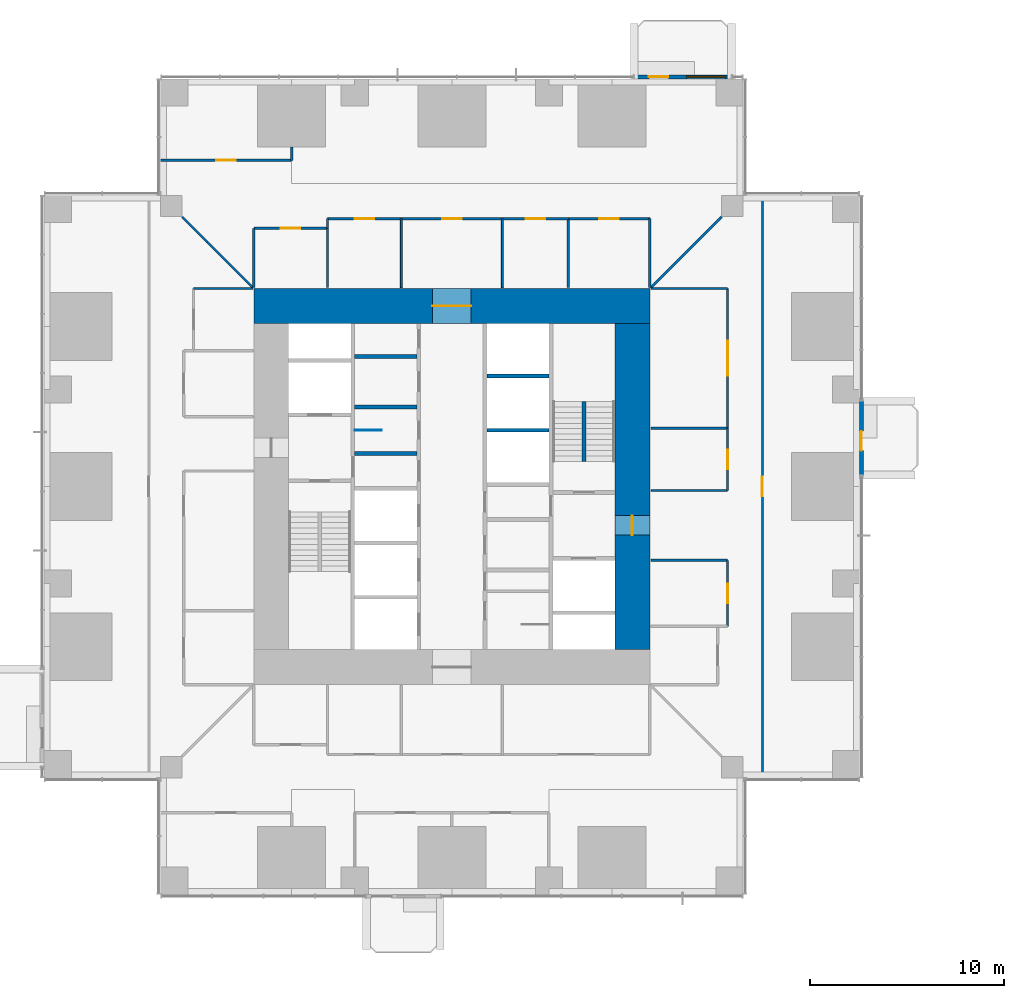
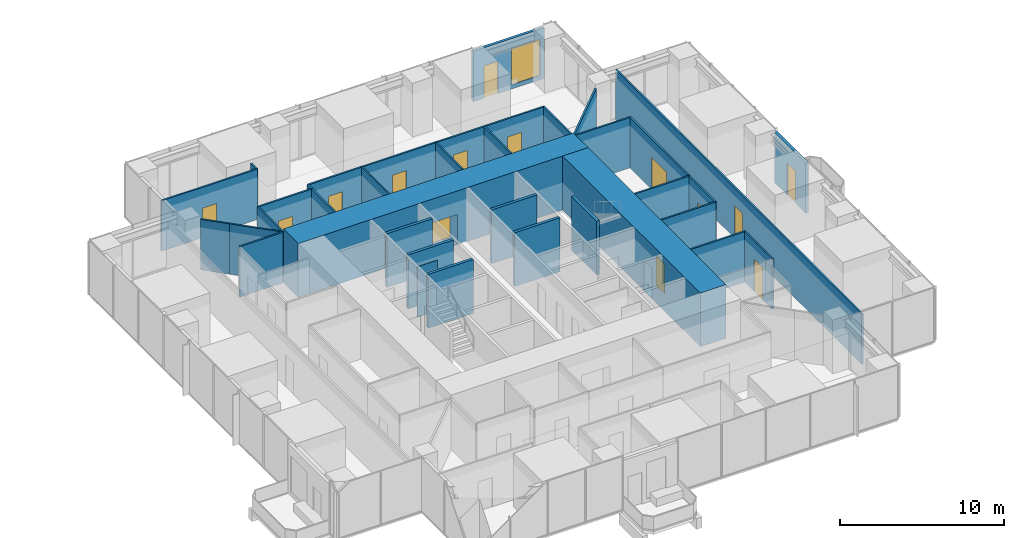
# One storey, part 12 of 16: 37 walls, 14 doors, 1 window, 15 openings.
"""IFC4 building model written with IfcOpenShell, lengths in metres."""

from ifc_helpers import new_model, si_unit, direction, frame, frame_2d, origin, place, context, subcontext, project, spatial, rectangle, extrude, material, layer, layer_set, type_object, element, fill, save


model = new_model("IFC4")

# Units and contexts
model_context = context("Model", 3, precision=1e-05, world=origin(), true_north=direction((0.0, 1.0)))
body_context = subcontext(model_context, "Body", "Model", "MODEL_VIEW")
ifc_project = project(units=[si_unit("LENGTHUNIT", "METRE"), si_unit("AREAUNIT", "SQUARE_METRE"), si_unit("VOLUMEUNIT", "CUBIC_METRE"), si_unit("PLANEANGLEUNIT", "RADIAN"), si_unit("MASSUNIT", "GRAM", prefix="KILO")], contexts=[model_context])

# Site, building, storey
site_placement = place(None, origin())
site = spatial("IfcSite", under=ifc_project, at=site_placement, CompositionType="ELEMENT")
building_placement = place(site_placement, origin())
building = spatial("IfcBuilding", under=site, at=building_placement, Name="Svetlomir Tower", CompositionType="ELEMENT")
storey_placement = place(building_placement, frame((0.0, 0.0, 22.5)))
storey = spatial("IfcBuildingStorey", under=building, at=storey_placement, Name="L04", CompositionType="ELEMENT", Elevation=22.5)

# Wall, opening, door
ifc_material_1 = material(Name="Bronze anodised aluminium glazed screen", Category="aluminium")
ifc_layer_1 = layer(ifc_material_1, 0.199951171875)
ifc_layer_set_1 = layer_set([ifc_layer_1], Name="Bronze anodised aluminium glazed screen")
wall_type_1 = type_object("IfcWallType", Name="BALCONY SCREEN WALL 200", PredefinedType="USERDEFINED", material=ifc_layer_set_1)
wall_1_placement = place(storey_placement, frame((42.10009765625, 21.60009765625, 0.0), z_axis=(0.0, 0.0, 1.0), x_axis=(0.0, 1.0, 0.0)))
wall_1 = element("IfcWall", 1, at=wall_1_placement, inside=storey, type_object=wall_type_1, Name="Balcony screen E", ObjectType="GLAZED SCREEN", PredefinedType="USERDEFINED", context=body_context, shape_type="SweptSolid", body=[
    extrude(rectangle(XDim=3.7998046875, YDim=0.199951171875, at=frame_2d((1.89990234375, 0.0))), origin(), (0.0, 0.0, 1.0), 3.75),
])
opening_1_placement = place(wall_1_placement, frame((1.25, 0.0, 0.0)))
opening_1 = element("IfcOpeningElement", 2, at=opening_1_placement, cuts=wall_1, Name="Opening BD", PredefinedType="OPENING", context=body_context, shape_type="SweptSolid", body=[
    extrude(rectangle(XDim=1.0, YDim=2.39990234375, at=frame_2d((0.5, 1.199951171875))), frame((0.0, 0.10986328125, 0.0), z_axis=(0.0, -1.0, 0.0), x_axis=(1.0, 0.0, 0.0)), (0.0, 0.0, 1.0), 0.219970703125),
])
ifc_material_2 = material(Name="Bronze anodised aluminium glazed door", Category="aluminium")
door_type_1 = type_object("IfcDoorType", Name="BALCONY DOOR BD 1000x2400", OperationType="SINGLE_SWING_LEFT", PredefinedType="DOOR", material=ifc_material_2)
door_1_placement = place(opening_1_placement, origin())
door_1 = element("IfcDoor", 3, at=door_1_placement, inside=storey, type_object=door_type_1, Name="Balcony screen E door", OperationType="SINGLE_SWING_LEFT", OverallHeight=2.39990234375, OverallWidth=1.0, PredefinedType="DOOR", context=body_context, shape_type="SweptSolid", body=[
    extrude(rectangle(XDim=1.0, YDim=2.39990234375, at=frame_2d((0.5, 1.199951171875))), frame((0.0, 0.02490234375, 0.0), z_axis=(0.0, -1.0, 0.0), x_axis=(1.0, 0.0, 0.0)), (0.0, 0.0, 1.0), 0.050048828125),
])
fill(opening_1, door_1)

# Wall, openings, door, window
wall_2_placement = place(storey_placement, frame((35.39990234375, 42.10009765625, 0.0), z_axis=(0.0, 0.0, 1.0), x_axis=(-1.0, 0.0, 0.0)))
wall_2 = element("IfcWall", 4, at=wall_2_placement, inside=storey, type_object=wall_type_1, Name="Balcony screen N", ObjectType="GLAZED SCREEN", PredefinedType="USERDEFINED", context=body_context, shape_type="SweptSolid", body=[
    extrude(rectangle(XDim=5.0, YDim=0.199951171875, at=frame_2d((2.5, 0.0))), origin(), (0.0, 0.0, 1.0), 3.75),
])
opening_2_placement = place(wall_2_placement, frame((3.25, 0.0, 0.0)))
opening_2 = element("IfcOpeningElement", 5, at=opening_2_placement, cuts=wall_2, Name="Opening BD", PredefinedType="OPENING", context=body_context, shape_type="SweptSolid", body=[
    extrude(rectangle(XDim=1.0, YDim=2.39990234375, at=frame_2d((0.5, 1.199951171875))), frame((0.0, 0.10986328125, 0.0), z_axis=(0.0, -1.0, 0.0), x_axis=(1.0, 0.0, 0.0)), (0.0, 0.0, 1.0), 0.219970703125),
])
opening_3_placement = place(wall_2_placement, frame((0.300048828125, 0.0, 0.300048828125)))
opening_3 = element("IfcOpeningElement", 6, at=opening_3_placement, cuts=wall_2, Name="Opening WS", PredefinedType="OPENING", context=body_context, shape_type="SweptSolid", body=[
    extrude(rectangle(XDim=2.0, YDim=2.699951171875, at=frame_2d((1.0, 1.35009765625))), frame((0.0, 0.10986328125, 0.0), z_axis=(0.0, -1.0, 0.0), x_axis=(1.0, 0.0, 0.0)), (0.0, 0.0, 1.0), 0.219970703125),
])
door_2_placement = place(opening_2_placement, origin())
door_2 = element("IfcDoor", 7, at=door_2_placement, inside=storey, type_object=door_type_1, Name="Balcony screen N door", OperationType="SINGLE_SWING_LEFT", OverallHeight=2.39990234375, OverallWidth=1.0, PredefinedType="DOOR", context=body_context, shape_type="SweptSolid", body=[
    extrude(rectangle(XDim=1.0, YDim=2.39990234375, at=frame_2d((0.5, 1.199951171875))), frame((0.0, 0.02490234375, 0.0), z_axis=(0.0, -1.0, 0.0), x_axis=(1.0, 0.0, 0.0)), (0.0, 0.0, 1.0), 0.050048828125),
])
fill(opening_2, door_2)
ifc_material_3 = material(Name="Bronze anodised aluminium window", Category="aluminium")
window_type = type_object("IfcWindowType", Name="SCREEN WINDOW WS 2000x2700", PartitioningType="SINGLE_PANEL", PredefinedType="WINDOW", material=ifc_material_3)
window_placement = place(opening_3_placement, origin())
window = element("IfcWindow", 8, at=window_placement, inside=storey, type_object=window_type, Name="Balcony screen N window 1", OverallHeight=2.699951171875, OverallWidth=2.0, PartitioningType="SINGLE_PANEL", PredefinedType="WINDOW", context=body_context, shape_type="SweptSolid", body=[
    extrude(rectangle(XDim=2.0, YDim=2.699951171875, at=frame_2d((1.0, 1.35009765625))), frame((0.0, 0.030029296875, 0.0), z_axis=(0.0, -1.0, 0.0), x_axis=(1.0, 0.0, 0.0)), (0.0, 0.0, 1.0), 0.06005859375),
])
fill(opening_3, window)

# Walls
ifc_material_4 = material(Name="Concrete C60/75", Category="concrete")
ifc_layer_2 = layer(ifc_material_4, 0.199951171875)
ifc_layer_set_2 = layer_set([ifc_layer_2], Name="Concrete C60/75")
wall_type_2 = type_object("IfcWallType", Name="CORE INNER WALL 200", PredefinedType="SHEAR", material=ifc_layer_set_2)
for number, where, z_axis, x_axis, name in (
    (9, (16.0, 22.699951171875, -0.050048828125), (0.0, 0.0, 1.0), (1.0, 0.0, 0.0), "Core inner wall 16-19.2/22.7 L04"),
    (10, (16.0, 25.10009765625, -0.050048828125), (0.0, 0.0, 1.0), (1.0, 0.0, 0.0), "Core inner wall 16-19.2/25.1 L04"),
    (11, (16.0, 27.699951171875, -0.050048828125), (0.0, 0.0, 1.0), (1.0, 0.0, 0.0), "Core inner wall 16-19.2/27.7 L04"),
    (12, (22.800048828125, 23.89990234375, -0.050048828125), (0.0, 0.0, 1.0), (1.0, 0.0, 0.0), "Core inner wall 22.8-26/23.9 L04"),
    (13, (22.800048828125, 26.699951171875, -0.050048828125), (0.0, 0.0, 1.0), (1.0, 0.0, 0.0), "Core inner wall 22.8-26/26.7 L04"),
):
    element("IfcWall", number, at=place(storey_placement, frame(where, z_axis=z_axis, x_axis=x_axis)), inside=storey, type_object=wall_type_2, Name=name, PredefinedType="SHEAR", context=body_context, shape_type="SweptSolid", body=[
        extrude(rectangle(XDim=3.199951171875, YDim=0.199951171875, at=frame_2d((1.60009765625, 0.0))), origin(), (0.0, 0.0, 1.0), 4.0),
    ])

# Wall, opening, door
ifc_material_5 = material(Name="Concrete C60/75", Category="concrete")
ifc_layer_3 = layer(ifc_material_5, 1.800048828125)
ifc_layer_set_3 = layer_set([ifc_layer_3], Name="Concrete C60/75")
wall_type_3 = type_object("IfcWallType", Name="CORE WALL 1800", PredefinedType="SHEAR", material=ifc_layer_set_3)
wall_3_placement = place(storey_placement, frame((10.800048828125, 30.300048828125, -0.050048828125), z_axis=(0.0, 0.0, 1.0), x_axis=(1.0, 0.0, 0.0)))
wall_3 = element("IfcWall", 14, at=wall_3_placement, inside=storey, type_object=wall_type_3, Name="Core wall north L04", PredefinedType="SHEAR", context=body_context, shape_type="SweptSolid", body=[
    extrude(rectangle(XDim=20.39990234375, YDim=1.800048828125, at=frame_2d((10.199951171875, 0.0))), origin(), (0.0, 0.0, 1.0), 4.0),
])
opening_4_placement = place(wall_3_placement, frame((9.199951171875, 0.0, 0.050048828125)))
opening_4 = element("IfcOpeningElement", 15, at=opening_4_placement, cuts=wall_3, Name="Opening DL", PredefinedType="OPENING", context=body_context, shape_type="SweptSolid", body=[
    extrude(rectangle(XDim=2.0, YDim=2.199951171875, at=frame_2d((1.0, 1.10009765625))), frame((0.0, 0.91015625, 0.0), z_axis=(0.0, -1.0, 0.0), x_axis=(1.0, 0.0, 0.0)), (0.0, 0.0, 1.0), 1.820068359375),
])
ifc_material_6 = material(Name="Steel fire door", Category="steel")
door_type_2 = type_object("IfcDoorType", Name="DOOR DL 2000x2200", OperationType="DOUBLE_DOOR_SINGLE_SWING", PredefinedType="DOOR", material=ifc_material_6)
door_3_placement = place(opening_4_placement, origin())
door_3 = element("IfcDoor", 16, at=door_3_placement, inside=storey, type_object=door_type_2, Name="Lift lobby north door L04", OperationType="DOUBLE_DOOR_SINGLE_SWING", OverallHeight=2.199951171875, OverallWidth=2.0, PredefinedType="DOOR", context=body_context, shape_type="SweptSolid", body=[
    extrude(rectangle(XDim=2.0, YDim=2.199951171875, at=frame_2d((1.0, 1.10009765625))), frame((0.0, 0.02490234375, 0.0), z_axis=(0.0, -1.0, 0.0), x_axis=(1.0, 0.0, 0.0)), (0.0, 0.0, 1.0), 0.050048828125),
])
fill(opening_4, door_3)

wall_4_placement = place(storey_placement, frame((30.300048828125, 12.60009765625, -0.050048828125), z_axis=(0.0, 0.0, 1.0), x_axis=(0.0, 1.0, 0.0)))
wall_4 = element("IfcWall", 17, at=wall_4_placement, inside=storey, type_object=wall_type_3, Name="Core wall east L04", PredefinedType="SHEAR", context=body_context, shape_type="SweptSolid", body=[
    extrude(rectangle(XDim=16.7998046875, YDim=1.800048828125, at=frame_2d((8.39990234375, 0.0))), origin(), (0.0, 0.0, 1.0), 4.0),
])
opening_5_placement = place(wall_4_placement, frame((5.89990234375, 0.0, 0.050048828125)))
opening_5 = element("IfcOpeningElement", 18, at=opening_5_placement, cuts=wall_4, Name="Opening DF", PredefinedType="OPENING", context=body_context, shape_type="SweptSolid", body=[
    extrude(rectangle(XDim=1.0, YDim=2.199951171875, at=frame_2d((0.5, 1.10009765625))), frame((0.0, 0.91015625, 0.0), z_axis=(0.0, -1.0, 0.0), x_axis=(1.0, 0.0, 0.0)), (0.0, 0.0, 1.0), 1.820068359375),
])
ifc_material_7 = material(Name="Steel fire door", Category="steel")
door_type_3 = type_object("IfcDoorType", Name="DOOR DF 1000x2200", OperationType="SINGLE_SWING_LEFT", PredefinedType="DOOR", material=ifc_material_7)
door_4_placement = place(opening_5_placement, origin())
door_4 = element("IfcDoor", 19, at=door_4_placement, inside=storey, type_object=door_type_3, Name="Firefighting lobby east door L04", OperationType="SINGLE_SWING_LEFT", OverallHeight=2.199951171875, OverallWidth=1.0, PredefinedType="DOOR", context=body_context, shape_type="SweptSolid", body=[
    extrude(rectangle(XDim=1.0, YDim=2.199951171875, at=frame_2d((0.5, 1.10009765625))), frame((0.0, 0.02490234375, 0.0), z_axis=(0.0, -1.0, 0.0), x_axis=(1.0, 0.0, 0.0)), (0.0, 0.0, 1.0), 0.050048828125),
])
fill(opening_5, door_4)

# Walls
ifc_material_8 = material(Name="Framed laminated glass partition", Category="glass")
ifc_layer_4 = layer(ifc_material_8, 0.10009765625)
ifc_layer_set_4 = layer_set([ifc_layer_4], Name="Framed laminated glass partition")
wall_type_4 = type_object("IfcWallType", Name="GLAZED PARTITION 100", PredefinedType="PARTITIONING", material=ifc_layer_set_4)
for number, where, z_axis, x_axis, name in (
    (20, (18.39990234375, 31.25, 0.0), (0.0, 0.0, 1.0), (0.0, 1.0, 0.0), "Glazed partition L04"),
    (21, (23.60009765625, 31.25, 0.0), (0.0, 0.0, 1.0), (0.0, 1.0, 0.0), "Glazed partition L04"),
):
    element("IfcWall", number, at=place(storey_placement, frame(where, z_axis=z_axis, x_axis=x_axis)), inside=storey, type_object=wall_type_4, Name=name, PredefinedType="PARTITIONING", context=body_context, shape_type="SweptSolid", body=[
        extrude(rectangle(XDim=3.550048828125, YDim=0.10009765625, at=frame_2d((1.77490234375, 0.0))), origin(), (0.0, 0.0, 1.0), 3.75),
    ])

# Wall, opening, door
ifc_material_9 = material(Name="Gypsum board on steel studs", Category="steel")
ifc_layer_5 = layer(ifc_material_9, 0.1201171875)
ifc_layer_set_5 = layer_set([ifc_layer_5], Name="Gypsum board on steel studs")
wall_type_5 = type_object("IfcWallType", Name="PARTITION 120", PredefinedType="PARTITIONING", material=ifc_layer_set_5)
wall_5_placement = place(storey_placement, frame((6.0, 37.800048828125, 0.0), z_axis=(0.0, 0.0, 1.0), x_axis=(1.0, 0.0, 0.0)))
wall_5 = element("IfcWall", 22, at=wall_5_placement, inside=storey, type_object=wall_type_5, Name="Partition L04", PredefinedType="PARTITIONING", context=body_context, shape_type="SweptSolid", body=[
    extrude(rectangle(XDim=6.75, YDim=0.1201171875, at=frame_2d((3.375, 0.0))), origin(), (0.0, 0.0, 1.0), 3.75),
])
opening_6_placement = place(wall_5_placement, frame((2.875, 0.0, 0.0)))
opening_6 = element("IfcOpeningElement", 23, at=opening_6_placement, cuts=wall_5, Name="Opening DR", PredefinedType="OPENING", context=body_context, shape_type="SweptSolid", body=[
    extrude(rectangle(XDim=1.0, YDim=2.199951171875, at=frame_2d((0.5, 1.10009765625))), frame((0.0, 0.070068359375, 0.0), z_axis=(0.0, -1.0, 0.0), x_axis=(1.0, 0.0, 0.0)), (0.0, 0.0, 1.0), 0.14013671875),
])
ifc_material_10 = material(Name="Timber door, glazed side light", Category="wood")
door_type_4 = type_object("IfcDoorType", Name="DOOR DR 1000x2200", OperationType="SINGLE_SWING_LEFT", PredefinedType="DOOR", material=ifc_material_10)
door_5_placement = place(opening_6_placement, origin())
door_5 = element("IfcDoor", 24, at=door_5_placement, inside=storey, type_object=door_type_4, Name="Accounts payable manager office door L04", OperationType="SINGLE_SWING_RIGHT", OverallHeight=2.199951171875, OverallWidth=1.0, PredefinedType="DOOR", context=body_context, shape_type="SweptSolid", body=[
    extrude(rectangle(XDim=1.0, YDim=2.199951171875, at=frame_2d((0.5, 1.10009765625))), frame((0.0, 0.02490234375, 0.0), z_axis=(0.0, -1.0, 0.0), x_axis=(1.0, 0.0, 0.0)), (0.0, 0.0, 1.0), 0.050048828125),
])
fill(opening_6, door_5)

# Walls
wall_6_placement = place(storey_placement, frame((7.110107421875, 34.889892578125, 0.0), z_axis=(0.0, 0.0, 1.0), x_axis=(0.707106781187, -0.707106781187, 0.0)))
element("IfcWall", 25, at=wall_6_placement, inside=storey, type_object=wall_type_5, Name="Partition L04", PredefinedType="PARTITIONING", context=body_context, shape_type="SweptSolid", body=[
    extrude(rectangle(XDim=1.822021484375, YDim=0.1201171875, at=frame_2d((0.9111328125, 0.0))), origin(), (0.0, 0.0, 1.0), 3.75),
])
wall_7_placement = place(storey_placement, frame((7.699951171875, 31.199951171875, 0.0), z_axis=(0.0, 0.0, 1.0), x_axis=(1.0, 0.0, 0.0)))
element("IfcWall", 26, at=wall_7_placement, inside=storey, type_object=wall_type_5, Name="Partition L04", PredefinedType="PARTITIONING", context=body_context, shape_type="SweptSolid", body=[
    extrude(rectangle(XDim=3.050048828125, YDim=0.1201171875, at=frame_2d((1.52490234375, 0.0))), origin(), (0.0, 0.0, 1.0), 3.75),
])
wall_8_placement = place(storey_placement, frame((8.3984375, 33.6015625, 0.0), z_axis=(0.0, 0.0, 1.0), x_axis=(0.707106781187, -0.707106781187, 0.0)))
element("IfcWall", 27, at=wall_8_placement, inside=storey, type_object=wall_type_5, Name="Partition L04", PredefinedType="PARTITIONING", context=body_context, shape_type="SweptSolid", body=[
    extrude(rectangle(XDim=3.346435546875, YDim=0.1201171875, at=frame_2d((1.67333984375, 0.0))), origin(), (0.0, 0.0, 1.0), 3.75),
])
wall_9_placement = place(storey_placement, frame((10.800048828125, 31.25, 0.0), z_axis=(0.0, 0.0, 1.0), x_axis=(0.0, 1.0, 0.0)))
element("IfcWall", 28, at=wall_9_placement, inside=storey, type_object=wall_type_5, Name="Partition L04", PredefinedType="PARTITIONING", context=body_context, shape_type="SweptSolid", body=[
    extrude(rectangle(XDim=3.050048828125, YDim=0.1201171875, at=frame_2d((1.52490234375, 0.0))), origin(), (0.0, 0.0, 1.0), 3.75),
])

# Wall, opening, door
wall_10_placement = place(storey_placement, frame((10.800048828125, 34.300048828125, 0.0), z_axis=(0.0, 0.0, 1.0), x_axis=(1.0, 0.0, 0.0)))
wall_10 = element("IfcWall", 29, at=wall_10_placement, inside=storey, type_object=wall_type_5, Name="Partition L04", PredefinedType="PARTITIONING", context=body_context, shape_type="SweptSolid", body=[
    extrude(rectangle(XDim=3.800048828125, YDim=0.1201171875, at=frame_2d((1.89990234375, 0.0))), origin(), (0.0, 0.0, 1.0), 3.75),
])
opening_7_placement = place(wall_10_placement, frame((1.39990234375, 0.0, 0.0)))
opening_7 = element("IfcOpeningElement", 30, at=opening_7_placement, cuts=wall_10, Name="Opening DR", PredefinedType="OPENING", context=body_context, shape_type="SweptSolid", body=[
    extrude(rectangle(XDim=1.0, YDim=2.199951171875, at=frame_2d((0.5, 1.10009765625))), frame((0.0, 0.070068359375, 0.0), z_axis=(0.0, -1.0, 0.0), x_axis=(1.0, 0.0, 0.0)), (0.0, 0.0, 1.0), 0.14013671875),
])
door_6_placement = place(opening_7_placement, origin())
door_6 = element("IfcDoor", 31, at=door_6_placement, inside=storey, type_object=door_type_4, Name="Mail and scanning room door L04", OperationType="SINGLE_SWING_LEFT", OverallHeight=2.199951171875, OverallWidth=1.0, PredefinedType="DOOR", context=body_context, shape_type="SweptSolid", body=[
    extrude(rectangle(XDim=1.0, YDim=2.199951171875, at=frame_2d((0.5, 1.10009765625))), frame((0.0, 0.02490234375, 0.0), z_axis=(0.0, -1.0, 0.0), x_axis=(1.0, 0.0, 0.0)), (0.0, 0.0, 1.0), 0.050048828125),
])
fill(opening_7, door_6)

# Walls
wall_11_placement = place(storey_placement, frame((12.75, 37.800048828125, 0.0), z_axis=(0.0, 0.0, 1.0), x_axis=(0.0, 1.0, 0.0)))
element("IfcWall", 32, at=wall_11_placement, inside=storey, type_object=wall_type_5, Name="Partition L04", PredefinedType="PARTITIONING", context=body_context, shape_type="SweptSolid", body=[
    extrude(rectangle(XDim=0.68994140625, YDim=0.1201171875, at=frame_2d((0.344970703125, 0.0))), origin(), (0.0, 0.0, 1.0), 3.75),
])
wall_12_placement = place(storey_placement, frame((14.60009765625, 31.25, 0.0), z_axis=(0.0, 0.0, 1.0), x_axis=(0.0, 1.0, 0.0)))
element("IfcWall", 33, at=wall_12_placement, inside=storey, type_object=wall_type_5, Name="Partition L04", PredefinedType="PARTITIONING", context=body_context, shape_type="SweptSolid", body=[
    extrude(rectangle(XDim=3.050048828125, YDim=0.1201171875, at=frame_2d((1.52490234375, 0.0))), origin(), (0.0, 0.0, 1.0), 3.75),
])
wall_13_placement = place(storey_placement, frame((14.60009765625, 34.300048828125, 0.0), z_axis=(0.0, 0.0, 1.0), x_axis=(0.0, 1.0, 0.0)))
element("IfcWall", 34, at=wall_13_placement, inside=storey, type_object=wall_type_5, Name="Partition L04", PredefinedType="PARTITIONING", context=body_context, shape_type="SweptSolid", body=[
    extrude(rectangle(XDim=0.5, YDim=0.1201171875, at=frame_2d((0.25, 0.0))), origin(), (0.0, 0.0, 1.0), 3.75),
])

# Wall, opening, door
wall_14_placement = place(storey_placement, frame((14.60009765625, 34.800048828125, 0.0), z_axis=(0.0, 0.0, 1.0), x_axis=(1.0, 0.0, 0.0)))
wall_14 = element("IfcWall", 35, at=wall_14_placement, inside=storey, type_object=wall_type_5, Name="Partition L04", PredefinedType="PARTITIONING", context=body_context, shape_type="SweptSolid", body=[
    extrude(rectangle(XDim=3.7998046875, YDim=0.1201171875, at=frame_2d((1.89990234375, 0.0))), origin(), (0.0, 0.0, 1.0), 3.75),
])
opening_8_placement = place(wall_14_placement, frame((1.39990234375, 0.0, 0.0)))
opening_8 = element("IfcOpeningElement", 36, at=opening_8_placement, cuts=wall_14, Name="Opening DG", PredefinedType="OPENING", context=body_context, shape_type="SweptSolid", body=[
    extrude(rectangle(XDim=1.0, YDim=2.39990234375, at=frame_2d((0.5, 1.199951171875))), frame((0.0, 0.070068359375, 0.0), z_axis=(0.0, -1.0, 0.0), x_axis=(1.0, 0.0, 0.0)), (0.0, 0.0, 1.0), 0.14013671875),
])
ifc_material_11 = material(Name="Framed laminated glass door", Category="glass")
door_type_5 = type_object("IfcDoorType", Name="GLAZED DOOR DG 1000x2400", OperationType="SINGLE_SWING_LEFT", PredefinedType="DOOR", material=ifc_material_11)
door_7_placement = place(opening_8_placement, origin())
door_7 = element("IfcDoor", 37, at=door_7_placement, inside=storey, type_object=door_type_5, Name="Meeting room, 8 seats door L04", OperationType="SINGLE_SWING_RIGHT", OverallHeight=2.39990234375, OverallWidth=1.0, PredefinedType="DOOR", context=body_context, shape_type="SweptSolid", body=[
    extrude(rectangle(XDim=1.0, YDim=2.39990234375, at=frame_2d((0.5, 1.199951171875))), frame((0.0, 0.02490234375, 0.0), z_axis=(0.0, -1.0, 0.0), x_axis=(1.0, 0.0, 0.0)), (0.0, 0.0, 1.0), 0.050048828125),
])
fill(opening_8, door_7)

wall_15_placement = place(storey_placement, frame((18.39990234375, 34.800048828125, 0.0), z_axis=(0.0, 0.0, 1.0), x_axis=(1.0, 0.0, 0.0)))
wall_15 = element("IfcWall", 38, at=wall_15_placement, inside=storey, type_object=wall_type_5, Name="Partition L04", PredefinedType="PARTITIONING", context=body_context, shape_type="SweptSolid", body=[
    extrude(rectangle(XDim=5.2001953125, YDim=0.1201171875, at=frame_2d((2.60009765625, 0.0))), origin(), (0.0, 0.0, 1.0), 3.75),
])
opening_9_placement = place(wall_15_placement, frame((2.10009765625, 0.0, 0.0)))
opening_9 = element("IfcOpeningElement", 39, at=opening_9_placement, cuts=wall_15, Name="Opening DG", PredefinedType="OPENING", context=body_context, shape_type="SweptSolid", body=[
    extrude(rectangle(XDim=1.0, YDim=2.39990234375, at=frame_2d((0.5, 1.199951171875))), frame((0.0, 0.070068359375, 0.0), z_axis=(0.0, -1.0, 0.0), x_axis=(1.0, 0.0, 0.0)), (0.0, 0.0, 1.0), 0.14013671875),
])
door_8_placement = place(opening_9_placement, origin())
door_8 = element("IfcDoor", 40, at=door_8_placement, inside=storey, type_object=door_type_5, Name="Ring corridor 4 door 2 L04", OperationType="SINGLE_SWING_LEFT", OverallHeight=2.39990234375, OverallWidth=1.0, PredefinedType="DOOR", context=body_context, shape_type="SweptSolid", body=[
    extrude(rectangle(XDim=1.0, YDim=2.39990234375, at=frame_2d((0.5, 1.199951171875))), frame((0.0, 0.02490234375, 0.0), z_axis=(0.0, -1.0, 0.0), x_axis=(1.0, 0.0, 0.0)), (0.0, 0.0, 1.0), 0.050048828125),
])
fill(opening_9, door_8)

wall_16_placement = place(storey_placement, frame((23.60009765625, 34.800048828125, 0.0), z_axis=(0.0, 0.0, 1.0), x_axis=(1.0, 0.0, 0.0)))
wall_16 = element("IfcWall", 41, at=wall_16_placement, inside=storey, type_object=wall_type_5, Name="Partition L04", PredefinedType="PARTITIONING", context=body_context, shape_type="SweptSolid", body=[
    extrude(rectangle(XDim=3.39990234375, YDim=0.1201171875, at=frame_2d((1.699951171875, 0.0))), origin(), (0.0, 0.0, 1.0), 3.75),
])
opening_10_placement = place(wall_16_placement, frame((1.199951171875, 0.0, 0.0)))
opening_10 = element("IfcOpeningElement", 42, at=opening_10_placement, cuts=wall_16, Name="Opening DG", PredefinedType="OPENING", context=body_context, shape_type="SweptSolid", body=[
    extrude(rectangle(XDim=1.0, YDim=2.39990234375, at=frame_2d((0.5, 1.199951171875))), frame((0.0, 0.070068359375, 0.0), z_axis=(0.0, -1.0, 0.0), x_axis=(1.0, 0.0, 0.0)), (0.0, 0.0, 1.0), 0.14013671875),
])
door_9_placement = place(opening_10_placement, origin())
door_9 = element("IfcDoor", 43, at=door_9_placement, inside=storey, type_object=door_type_5, Name="Meeting room, 4 seats door L04", OperationType="SINGLE_SWING_LEFT", OverallHeight=2.39990234375, OverallWidth=1.0, PredefinedType="DOOR", context=body_context, shape_type="SweptSolid", body=[
    extrude(rectangle(XDim=1.0, YDim=2.39990234375, at=frame_2d((0.5, 1.199951171875))), frame((0.0, 0.02490234375, 0.0), z_axis=(0.0, -1.0, 0.0), x_axis=(1.0, 0.0, 0.0)), (0.0, 0.0, 1.0), 0.050048828125),
])
fill(opening_10, door_9)

# Wall
wall_17_placement = place(storey_placement, frame((27.0, 31.25, 0.0), z_axis=(0.0, 0.0, 1.0), x_axis=(0.0, 1.0, 0.0)))
element("IfcWall", 44, at=wall_17_placement, inside=storey, type_object=wall_type_5, Name="Partition L04", PredefinedType="PARTITIONING", context=body_context, shape_type="SweptSolid", body=[
    extrude(rectangle(XDim=3.550048828125, YDim=0.1201171875, at=frame_2d((1.77490234375, 0.0))), origin(), (0.0, 0.0, 1.0), 3.75),
])

# Wall, opening, door
wall_18_placement = place(storey_placement, frame((27.0, 34.800048828125, 0.0), z_axis=(0.0, 0.0, 1.0), x_axis=(1.0, 0.0, 0.0)))
wall_18 = element("IfcWall", 45, at=wall_18_placement, inside=storey, type_object=wall_type_5, Name="Partition L04", PredefinedType="PARTITIONING", context=body_context, shape_type="SweptSolid", body=[
    extrude(rectangle(XDim=4.199951171875, YDim=0.1201171875, at=frame_2d((2.10009765625, 0.0))), origin(), (0.0, 0.0, 1.0), 3.75),
])
opening_11_placement = place(wall_18_placement, frame((1.60009765625, 0.0, 0.0)))
opening_11 = element("IfcOpeningElement", 46, at=opening_11_placement, cuts=wall_18, Name="Opening DG", PredefinedType="OPENING", context=body_context, shape_type="SweptSolid", body=[
    extrude(rectangle(XDim=1.0, YDim=2.39990234375, at=frame_2d((0.5, 1.199951171875))), frame((0.0, 0.070068359375, 0.0), z_axis=(0.0, -1.0, 0.0), x_axis=(1.0, 0.0, 0.0)), (0.0, 0.0, 1.0), 0.14013671875),
])
door_10_placement = place(opening_11_placement, origin())
door_10 = element("IfcDoor", 47, at=door_10_placement, inside=storey, type_object=door_type_5, Name="Phone rooms door L04", OperationType="SINGLE_SWING_RIGHT", OverallHeight=2.39990234375, OverallWidth=1.0, PredefinedType="DOOR", context=body_context, shape_type="SweptSolid", body=[
    extrude(rectangle(XDim=1.0, YDim=2.39990234375, at=frame_2d((0.5, 1.199951171875))), frame((0.0, 0.02490234375, 0.0), z_axis=(0.0, -1.0, 0.0), x_axis=(1.0, 0.0, 0.0)), (0.0, 0.0, 1.0), 0.050048828125),
])
fill(opening_11, door_10)

# Walls
wall_19_placement = place(storey_placement, frame((31.199951171875, 31.25, 0.0), z_axis=(0.0, 0.0, 1.0), x_axis=(0.0, 1.0, 0.0)))
element("IfcWall", 48, at=wall_19_placement, inside=storey, type_object=wall_type_5, Name="Partition L04", PredefinedType="PARTITIONING", context=body_context, shape_type="SweptSolid", body=[
    extrude(rectangle(XDim=3.550048828125, YDim=0.1201171875, at=frame_2d((1.77490234375, 0.0))), origin(), (0.0, 0.0, 1.0), 3.75),
])
wall_20_placement = place(storey_placement, frame((31.2353515625, 31.2353515625, 0.0), z_axis=(0.0, 0.0, 1.0), x_axis=(0.707106781187, 0.707106781187, 0.0)))
element("IfcWall", 49, at=wall_20_placement, inside=storey, type_object=wall_type_5, Name="Partition L04", PredefinedType="PARTITIONING", context=body_context, shape_type="SweptSolid", body=[
    extrude(rectangle(XDim=5.168212890625, YDim=0.1201171875, at=frame_2d((2.583984375, 0.0))), origin(), (0.0, 0.0, 1.0), 3.75),
])
for number, where, z_axis, x_axis, name in (
    (50, (31.25, 17.199951171875, 0.0), (0.0, 0.0, 1.0), (1.0, 0.0, 0.0), "Partition L04"),
    (51, (31.25, 20.800048828125, 0.0), (0.0, 0.0, 1.0), (1.0, 0.0, 0.0), "Partition L04"),
    (52, (31.25, 24.0, 0.0), (0.0, 0.0, 1.0), (1.0, 0.0, 0.0), "Partition L04"),
    (53, (31.25, 31.199951171875, 0.0), (0.0, 0.0, 1.0), (1.0, 0.0, 0.0), "Partition L04"),
):
    element("IfcWall", number, at=place(storey_placement, frame(where, z_axis=z_axis, x_axis=x_axis)), inside=storey, type_object=wall_type_5, Name=name, PredefinedType="PARTITIONING", context=body_context, shape_type="SweptSolid", body=[
        extrude(rectangle(XDim=3.949951171875, YDim=0.1201171875, at=frame_2d((1.97509765625, 0.0))), origin(), (0.0, 0.0, 1.0), 3.75),
    ])

# Wall, opening, door
wall_21_placement = place(storey_placement, frame((35.199951171875, 13.800048828125, 0.0), z_axis=(0.0, 0.0, 1.0), x_axis=(0.0, 1.0, 0.0)))
wall_21 = element("IfcWall", 54, at=wall_21_placement, inside=storey, type_object=wall_type_5, Name="Partition L04", PredefinedType="PARTITIONING", context=body_context, shape_type="SweptSolid", body=[
    extrude(rectangle(XDim=3.39990234375, YDim=0.1201171875, at=frame_2d((1.699951171875, 0.0))), origin(), (0.0, 0.0, 1.0), 3.75),
])
opening_12_placement = place(wall_21_placement, frame((1.199951171875, 0.0, 0.0)))
opening_12 = element("IfcOpeningElement", 55, at=opening_12_placement, cuts=wall_21, Name="Opening DG", PredefinedType="OPENING", context=body_context, shape_type="SweptSolid", body=[
    extrude(rectangle(XDim=1.0, YDim=2.39990234375, at=frame_2d((0.5, 1.199951171875))), frame((0.0, 0.070068359375, 0.0), z_axis=(0.0, -1.0, 0.0), x_axis=(1.0, 0.0, 0.0)), (0.0, 0.0, 1.0), 0.14013671875),
])
door_11_placement = place(opening_12_placement, origin())
door_11 = element("IfcDoor", 56, at=door_11_placement, inside=storey, type_object=door_type_5, Name="Focus room 1 door L04", OperationType="SINGLE_SWING_RIGHT", OverallHeight=2.39990234375, OverallWidth=1.0, PredefinedType="DOOR", context=body_context, shape_type="SweptSolid", body=[
    extrude(rectangle(XDim=1.0, YDim=2.39990234375, at=frame_2d((0.5, 1.199951171875))), frame((0.0, 0.02490234375, 0.0), z_axis=(0.0, -1.0, 0.0), x_axis=(1.0, 0.0, 0.0)), (0.0, 0.0, 1.0), 0.050048828125),
])
fill(opening_12, door_11)

wall_22_placement = place(storey_placement, frame((35.199951171875, 20.800048828125, 0.0), z_axis=(0.0, 0.0, 1.0), x_axis=(0.0, 1.0, 0.0)))
wall_22 = element("IfcWall", 57, at=wall_22_placement, inside=storey, type_object=wall_type_5, Name="Partition L04", PredefinedType="PARTITIONING", context=body_context, shape_type="SweptSolid", body=[
    extrude(rectangle(XDim=3.199951171875, YDim=0.1201171875, at=frame_2d((1.60009765625, 0.0))), origin(), (0.0, 0.0, 1.0), 3.75),
])
opening_13_placement = place(wall_22_placement, frame((1.10009765625, 0.0, 0.0)))
opening_13 = element("IfcOpeningElement", 58, at=opening_13_placement, cuts=wall_22, Name="Opening DG", PredefinedType="OPENING", context=body_context, shape_type="SweptSolid", body=[
    extrude(rectangle(XDim=1.0, YDim=2.39990234375, at=frame_2d((0.5, 1.199951171875))), frame((0.0, 0.070068359375, 0.0), z_axis=(0.0, -1.0, 0.0), x_axis=(1.0, 0.0, 0.0)), (0.0, 0.0, 1.0), 0.14013671875),
])
door_12_placement = place(opening_13_placement, origin())
door_12 = element("IfcDoor", 59, at=door_12_placement, inside=storey, type_object=door_type_5, Name="Focus room 2 door L04", OperationType="SINGLE_SWING_LEFT", OverallHeight=2.39990234375, OverallWidth=1.0, PredefinedType="DOOR", context=body_context, shape_type="SweptSolid", body=[
    extrude(rectangle(XDim=1.0, YDim=2.39990234375, at=frame_2d((0.5, 1.199951171875))), frame((0.0, 0.02490234375, 0.0), z_axis=(0.0, -1.0, 0.0), x_axis=(1.0, 0.0, 0.0)), (0.0, 0.0, 1.0), 0.050048828125),
])
fill(opening_13, door_12)

wall_23_placement = place(storey_placement, frame((35.199951171875, 24.0, 0.0), z_axis=(0.0, 0.0, 1.0), x_axis=(0.0, 1.0, 0.0)))
wall_23 = element("IfcWall", 60, at=wall_23_placement, inside=storey, type_object=wall_type_5, Name="Partition L04", PredefinedType="PARTITIONING", context=body_context, shape_type="SweptSolid", body=[
    extrude(rectangle(XDim=7.199951171875, YDim=0.1201171875, at=frame_2d((3.60009765625, 0.0))), origin(), (0.0, 0.0, 1.0), 3.75),
])
opening_14_placement = place(wall_23_placement, frame((2.699951171875, 0.0, 0.0)))
opening_14 = element("IfcOpeningElement", 61, at=opening_14_placement, cuts=wall_23, Name="Opening DD", PredefinedType="OPENING", context=body_context, shape_type="SweptSolid", body=[
    extrude(rectangle(XDim=1.800048828125, YDim=2.39990234375, at=frame_2d((0.89990234375, 1.199951171875))), frame((0.0, 0.070068359375, 0.0), z_axis=(0.0, -1.0, 0.0), x_axis=(1.0, 0.0, 0.0)), (0.0, 0.0, 1.0), 0.14013671875),
])
ifc_material_12 = material(Name="Timber door", Category="wood")
door_type_6 = type_object("IfcDoorType", Name="DOOR DD 1800x2400", OperationType="DOUBLE_DOOR_SINGLE_SWING", PredefinedType="DOOR", material=ifc_material_12)
door_13_placement = place(opening_14_placement, origin())
door_13 = element("IfcDoor", 62, at=door_13_placement, inside=storey, type_object=door_type_6, Name="Onboarding training room door L04", OperationType="DOUBLE_DOOR_SINGLE_SWING", OverallHeight=2.39990234375, OverallWidth=1.800048828125, PredefinedType="DOOR", context=body_context, shape_type="SweptSolid", body=[
    extrude(rectangle(XDim=1.800048828125, YDim=2.39990234375, at=frame_2d((0.89990234375, 1.199951171875))), frame((0.0, 0.02490234375, 0.0), z_axis=(0.0, -1.0, 0.0), x_axis=(1.0, 0.0, 0.0)), (0.0, 0.0, 1.0), 0.050048828125),
])
fill(opening_14, door_13)

wall_24_placement = place(storey_placement, frame((37.0, 6.0, 0.0), z_axis=(0.0, 0.0, 1.0), x_axis=(0.0, 1.0, 0.0)))
wall_24 = element("IfcWall", 63, at=wall_24_placement, inside=storey, type_object=wall_type_5, Name="Partition L04", PredefinedType="PARTITIONING", context=body_context, shape_type="SweptSolid", body=[
    extrude(rectangle(XDim=30.0, YDim=0.1201171875, at=frame_2d((15.0, 0.0))), origin(), (0.0, 0.0, 1.0), 3.75),
])
opening_15_placement = place(wall_24_placement, frame((14.5, 0.0, 0.0)))
opening_15 = element("IfcOpeningElement", 64, at=opening_15_placement, cuts=wall_24, Name="Opening DG", PredefinedType="OPENING", context=body_context, shape_type="SweptSolid", body=[
    extrude(rectangle(XDim=1.0, YDim=2.39990234375, at=frame_2d((0.5, 1.199951171875))), frame((0.0, 0.070068359375, 0.0), z_axis=(0.0, -1.0, 0.0), x_axis=(1.0, 0.0, 0.0)), (0.0, 0.0, 1.0), 0.14013671875),
])
door_14_placement = place(opening_15_placement, origin())
door_14 = element("IfcDoor", 65, at=door_14_placement, inside=storey, type_object=door_type_5, Name="Ring corridor 2 door 1 L04", OperationType="SINGLE_SWING_RIGHT", OverallHeight=2.39990234375, OverallWidth=1.0, PredefinedType="DOOR", context=body_context, shape_type="SweptSolid", body=[
    extrude(rectangle(XDim=1.0, YDim=2.39990234375, at=frame_2d((0.5, 1.199951171875))), frame((0.0, 0.02490234375, 0.0), z_axis=(0.0, -1.0, 0.0), x_axis=(1.0, 0.0, 0.0)), (0.0, 0.0, 1.0), 0.050048828125),
])
fill(opening_15, door_14)

# Walls
ifc_material_13 = material(Name="Concrete C60/75", Category="concrete")
ifc_layer_6 = layer(ifc_material_13, 0.199951171875)
ifc_layer_set_6 = layer_set([ifc_layer_6], Name="Concrete C60/75")
wall_type_6 = type_object("IfcWallType", Name="STAIR SPINE WALL 200", PredefinedType="PARTITIONING", material=ifc_layer_set_6)
wall_25_placement = place(storey_placement, frame((27.800048828125, 22.300048828125, 0.0), z_axis=(0.0, 0.0, 1.0), x_axis=(0.0, 1.0, 0.0)))
element("IfcWall", 66, at=wall_25_placement, inside=storey, type_object=wall_type_6, Name="Stair S2 spine wall L04", PredefinedType="PARTITIONING", context=body_context, shape_type="SweptSolid", body=[
    extrude(rectangle(XDim=3.079833984375, YDim=0.199951171875, at=frame_2d((1.5400390625, 0.0))), origin(), (0.0, 0.0, 1.0), 4.0),
])
ifc_material_14 = material(Name="Compact laminate panel", Category="plastic")
ifc_layer_7 = layer(ifc_material_14, 0.030029296875)
ifc_layer_set_7 = layer_set([ifc_layer_7], Name="Compact laminate panel")
wall_type_7 = type_object("IfcWallType", Name="WC CUBICLE PARTITION 30", PredefinedType="PARTITIONING", material=ifc_layer_set_7)
wall_26_placement = place(storey_placement, frame((16.0, 23.89990234375, 0.0), z_axis=(0.0, 0.0, 1.0), x_axis=(1.0, 0.0, 0.0)))
element("IfcWall", 67, at=wall_26_placement, inside=storey, type_object=wall_type_7, Name="WC cubicle partition L04", PredefinedType="PARTITIONING", context=body_context, shape_type="SweptSolid", body=[
    extrude(rectangle(XDim=1.39990234375, YDim=0.030029296875, at=frame_2d((0.699951171875, 0.0))), origin(), (0.0, 0.0, 1.0), 3.75),
])

save(model, "model.ifc")
